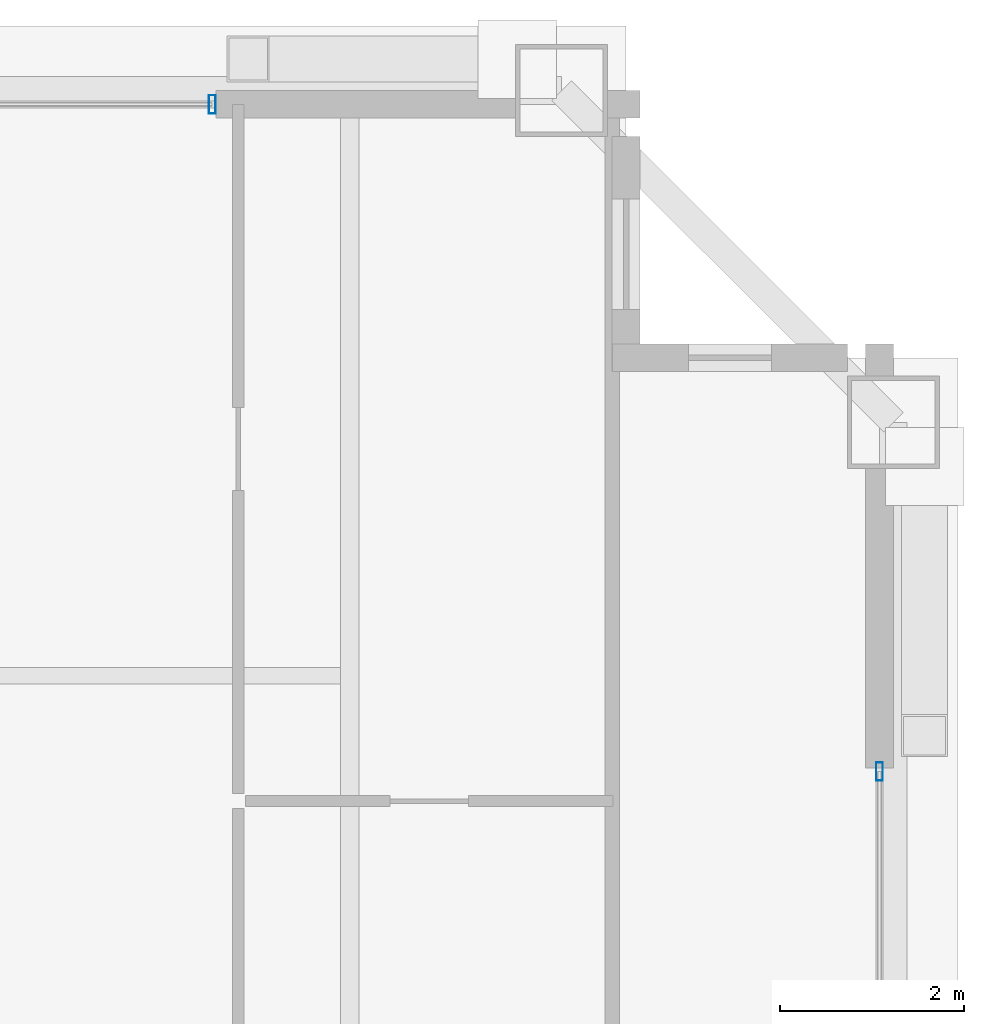
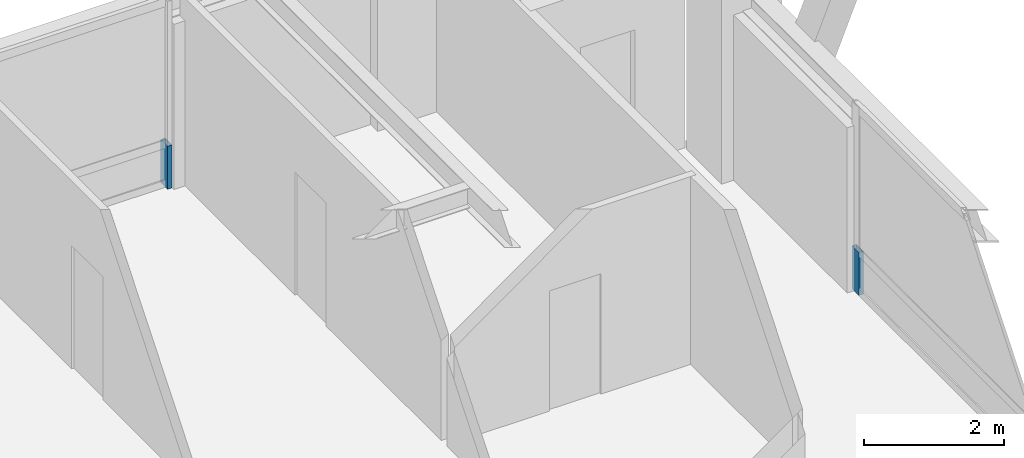
# One storey, part 26 of 33: 2 members, 2 elements without a shape of their own.
"""IFC4 building model written with IfcOpenShell, lengths in metres."""

from ifc_helpers import new_model, si_unit, direction, frame, origin, origin_2d, place, context, subcontext, project, spatial, hollow_rectangle, extrude, source, transform, mapped, material, layer, layer_set, material_profile, profile_set, type_object, element, aggregate, save


model = new_model("IFC4")

# Units and contexts
model_context = context("Model", 3, precision=1e-05, world=origin(), true_north=direction((0.0, 1.0)))
body_context = subcontext(model_context, "Body", "Model", "MODEL_VIEW")
ifc_project = project(units=[si_unit("LENGTHUNIT", "METRE"), si_unit("AREAUNIT", "SQUARE_METRE"), si_unit("VOLUMEUNIT", "CUBIC_METRE"), si_unit("PLANEANGLEUNIT", "RADIAN"), si_unit("MASSUNIT", "GRAM", prefix="KILO"), si_unit("THERMODYNAMICTEMPERATUREUNIT", "KELVIN"), si_unit("POWERUNIT", "WATT")], contexts=[model_context])

# Site, building, storey
site_placement = place(None, origin())
site = spatial("IfcSite", under=ifc_project, at=site_placement, CompositionType="ELEMENT")
building_placement = place(site_placement, origin())
building = spatial("IfcBuilding", under=site, at=building_placement, Name="Yuzanri Waterfront Tower", CompositionType="ELEMENT")
storey_placement = place(building_placement, frame((0.0, 0.0, 292.60009765625)))
storey = spatial("IfcBuildingStorey", under=building, at=storey_placement, Name="L78", CompositionType="ELEMENT", Elevation=292.60009765625)

# Curtain wall, member
ifc_material_1 = material(Name="Anodized Architectural Bronze", Category="metal")
ifc_layer = layer(ifc_material_1, 0.159912109375)
ifc_layer_set = layer_set([ifc_layer], Name="Anodized Architectural Bronze")
curtain_wall_type = type_object("IfcCurtainWallType", Name="Anodized Bronze High-Rise Penthouse High-Wind Unitized Curtain Wall 6900", PredefinedType="NOTDEFINED", material=ifc_layer_set)
curtain_wall_1_placement = place(storey_placement, origin())
curtain_wall_1 = element("IfcCurtainWall", 1, at=curtain_wall_1_placement, inside=storey, type_object=curtain_wall_type, Name="L78 Curtain Wall CW-L78-NR", PredefinedType="NOTDEFINED")
ifc_material_2 = material(Name="Anodized Architectural Bronze", Category="metal")
ifc_material_profile = material_profile(ifc_material_2, hollow_rectangle(XDim=0.074951171875, YDim=0.199951171875, WallThickness=0.00390625, at=origin_2d()), Name="CWM 75x200")
ifc_profile_set = profile_set([ifc_material_profile], Name="Anodized Architectural Bronze")
member_type = type_object("IfcMemberType", Name="Anodized Bronze Primary Curtain-Wall Mullion 75x200", PredefinedType="MULLION", material=ifc_profile_set)
shared_shape = source(origin(), body_context, "Body", "SweptSolid", [
    extrude(hollow_rectangle(XDim=0.074951171875, YDim=0.199951171875, WallThickness=0.00390625, at=origin_2d()), origin(), (0.0, 0.0, 1.0), 0.751953125),
])
member_1_placement = place(storey_placement, frame((48.7099609375, 44.75, 0.0), z_axis=(0.0, 0.0, 1.0), x_axis=(1.0, 0.0, 0.0)))
member_1 = element("IfcMember", 2, at=member_1_placement, type_object=member_type, Name="CW-L78-NR Lower Mullion 02", PredefinedType="MULLION", context=body_context, shape_type="MappedRepresentation", body=[
    mapped(shared_shape, transform((0.0, 0.0, 0.0), scale=1.0)),
])
aggregate(curtain_wall_1, [member_1])

curtain_wall_2_placement = place(storey_placement, origin())
curtain_wall_2 = element("IfcCurtainWall", 3, at=curtain_wall_2_placement, inside=storey, type_object=curtain_wall_type, Name="L78 Curtain Wall CW-L78-ER", PredefinedType="NOTDEFINED")
member_2_placement = place(storey_placement, frame((55.949951171875, 37.510009765625, 0.0), z_axis=(0.0, 0.0, 1.0), x_axis=(1.0, 0.0, 0.0)))
member_2 = element("IfcMember", 4, at=member_2_placement, type_object=member_type, Name="CW-L78-ER Lower Mullion 02", PredefinedType="MULLION", context=body_context, shape_type="MappedRepresentation", body=[
    mapped(shared_shape, transform((0.0, 0.0, 0.0), scale=1.0)),
])
aggregate(curtain_wall_2, [member_2])

save(model, "model.ifc")
